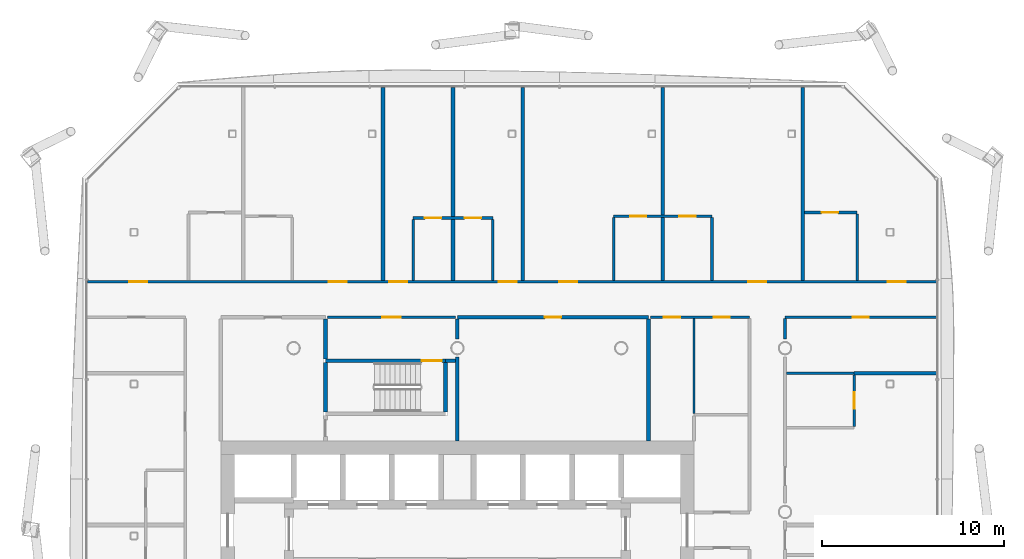
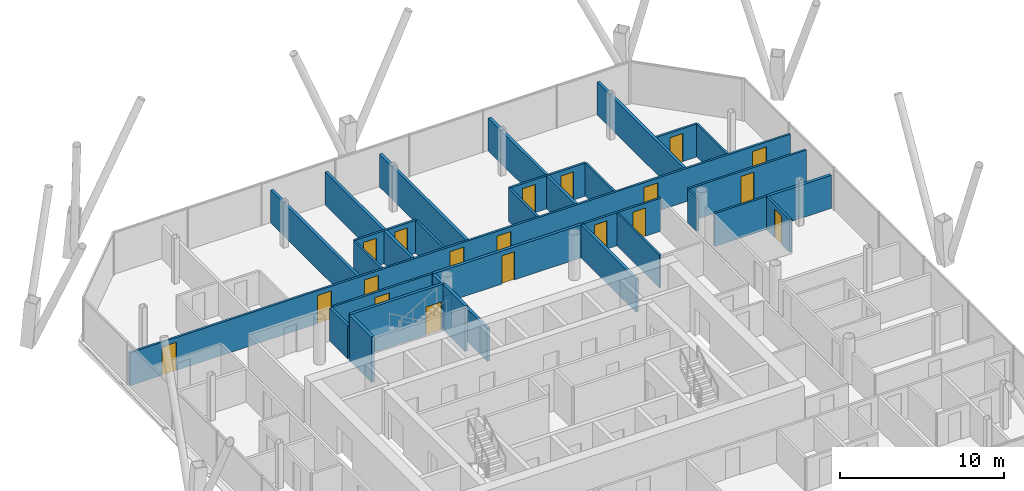
# One storey, part 16 of 22: 31 walls, 19 doors, 19 openings.
"""IFC4 building model written with IfcOpenShell, lengths in metres."""

import ifcopenshell
import ifcopenshell.guid

model = None  # the IFC model being written
_history = None  # IfcOwnerHistory: only IFC2X3 demands one
_inside = {}  # id of a spatial element -> (the spatial element, [elements in it])
_under = {}  # id of a project, library or spatial element -> (it, [spatial elements below it])
_declared = {}  # id of a project -> (the project, [libraries it declares])
_typed = {}  # id of a type object -> (the type object, [elements of that type])
_made_of = {}  # id of a material, layer set ... -> (it, [elements and type objects made of it])


def new_model(schema):
    """Start an empty IFC model of exactly this schema.

    Asked for "IFC4X3", IfcOpenShell would pick the latest addendum, in which some entities
    have other attributes; the version numbers below select the first issue.
    IFC2X3 requires an IfcOwnerHistory on every rooted entity: one is made here for all.
    """
    global model, _history
    if schema == "IFC4X3":
        model = ifcopenshell.file(schema_version=(4, 3, 0, 0))
    else:
        model = ifcopenshell.file(schema=schema)
    _inside.clear()
    _under.clear()
    _declared.clear()
    _typed.clear()
    _made_of.clear()
    _history = None
    if model.schema == "IFC2X3":
        org = make("IfcOrganization", Name="unknown")
        user = make(
            "IfcPersonAndOrganization",
            ThePerson=make("IfcPerson", FamilyName="unknown"),
            TheOrganization=org,
        )
        app = make(
            "IfcApplication",
            ApplicationDeveloper=org,
            Version="unknown",
            ApplicationFullName="unknown",
            ApplicationIdentifier="unknown",
        )
        _history = make(
            "IfcOwnerHistory",
            OwningUser=user,
            OwningApplication=app,
            ChangeAction="ADDED",
            CreationDate=0,
        )
    return model


def make(cls, **values):
    """One entity of the class cls with the attributes given. An attribute that is None is left unset."""
    return model.create_entity(
        cls, **{name: value for name, value in values.items() if value is not None}
    )


def rooted(cls, **values):
    """An entity with a GlobalId (a new one), such as an element, a storey or a relation."""
    return make(cls, GlobalId=ifcopenshell.guid.new(), OwnerHistory=_history, **values)


def si_unit(unit_type, name, prefix=None):
    """IfcSIUnit, for example si_unit("LENGTHUNIT", "METRE", prefix="MILLI")."""
    return make("IfcSIUnit", UnitType=unit_type, Prefix=prefix, Name=name)


def assignment(units):
    """IfcUnitAssignment: the units of a project."""
    return None if units is None else make("IfcUnitAssignment", Units=units)


def point(xyz):
    """IfcCartesianPoint."""
    return None if xyz is None else make("IfcCartesianPoint", Coordinates=xyz)


def direction(xyz):
    """IfcDirection."""
    return None if xyz is None else make("IfcDirection", DirectionRatios=xyz)


def frame(location, z_axis=None, x_axis=None):
    """IfcAxis2Placement3D, a coordinate frame: its origin and axes. An axis left out is left unset."""
    return make(
        "IfcAxis2Placement3D",
        Location=point(location),
        Axis=direction(z_axis),
        RefDirection=direction(x_axis),
    )


def frame_2d(location, x_axis=None):
    """IfcAxis2Placement2D, a coordinate frame in the plane: its origin and x axis."""
    return make(
        "IfcAxis2Placement2D", Location=point(location), RefDirection=direction(x_axis)
    )


def origin():
    """The frame at (0, 0, 0) with its axes left unset."""
    return frame((0.0, 0.0, 0.0))


def place(relative_to, where):
    """IfcLocalPlacement: puts the frame where relative to a parent placement (None: the world)."""
    return make(
        "IfcLocalPlacement", PlacementRelTo=relative_to, RelativePlacement=where
    )


def context(
    kind, dimensions, precision=None, world=None, true_north=None, identifier=None
):
    """IfcGeometricRepresentationContext, for example the 3D "Model" context."""
    return make(
        "IfcGeometricRepresentationContext",
        ContextIdentifier=identifier,
        ContextType=kind,
        CoordinateSpaceDimension=dimensions,
        Precision=precision,
        WorldCoordinateSystem=world,
        TrueNorth=true_north,
    )


def subcontext(parent, identifier, kind, view, scale=None):
    """IfcGeometricRepresentationSubContext, for example "Body" below "Model"."""
    return make(
        "IfcGeometricRepresentationSubContext",
        ContextIdentifier=identifier,
        ContextType=kind,
        ParentContext=parent,
        TargetScale=scale,
        TargetView=view,
    )


def project(units=None, contexts=None):
    """IfcProject with its units and contexts."""
    return rooted(
        "IfcProject",
        Name="project",
        RepresentationContexts=contexts,
        UnitsInContext=assignment(units),
    )


def spatial(cls, under=None, at=None, **own):
    """A site, building, storey or space (cls), placed at a placement, below another one or the project."""
    s = rooted(cls, ObjectPlacement=at, **own)
    if under is not None:
        _under.setdefault(under.id(), (under, []))[1].append(s)
    return s


def profile(cls, at=None, kind="AREA", **sizes):
    """A parametric profile (cls). Its sizes go by their IFC names, for example OverallWidth=200.0."""
    return make(cls, ProfileType=kind, Position=at, **sizes)


def rectangle(**sizes):
    """IfcRectangleProfileDef."""
    return profile("IfcRectangleProfileDef", **sizes)


def extrude(swept, where, along, depth):
    """IfcExtrudedAreaSolid: the profile swept, set in the frame where, extruded along a direction by depth."""
    return make(
        "IfcExtrudedAreaSolid",
        SweptArea=swept,
        Position=where,
        ExtrudedDirection=direction(along),
        Depth=depth,
    )


def shape(context_of_items, identifier, shape_type, items):
    """IfcShapeRepresentation: the items that make up one representation, for example the "Body"."""
    return make(
        "IfcShapeRepresentation",
        ContextOfItems=context_of_items,
        RepresentationIdentifier=identifier,
        RepresentationType=shape_type,
        Items=items,
    )


def material(Name=None, Category=None):
    """IfcMaterial."""
    return make("IfcMaterial", Name=Name, Category=Category)


def layer(
    of_material, thickness, ventilated=None, Name=None, Category=None, Priority=None
):
    """IfcMaterialLayer: one layer of a wall or slab, of a material (None: an air gap)."""
    return make(
        "IfcMaterialLayer",
        Material=of_material,
        LayerThickness=thickness,
        IsVentilated=ventilated,
        Name=Name,
        Category=Category,
        Priority=Priority,
    )


def layer_set(layers, Name=None):
    """IfcMaterialLayerSet."""
    return make("IfcMaterialLayerSet", MaterialLayers=layers, LayerSetName=Name)


def made_of(thing, what):
    """Note that an element or type object is made of a material, layer set ...; save() writes the relation."""
    if what is not None:
        _made_of.setdefault(what.id(), (what, []))[1].append(thing)
    return thing


def type_object(cls, material=None, **own):
    """A type object (cls), such as IfcWallType, which elements share."""
    return made_of(rooted(cls, **own), material)


def element(
    cls,
    number,
    at=None,
    inside=None,
    cuts=None,
    type_object=None,
    material=None,
    context=None,
    identifier="Body",
    shape_type=None,
    held_by="IfcProductDefinitionShape",
    body=None,
    shapes=None,
    **own,
):
    """One element of the class cls, such as IfcWall. Its Tag is "e" and its number.

    at: its placement. inside: the storey or other place that contains it. cuts: it is an
    opening in that element (IfcRelVoidsElement). A single representation is given by context,
    identifier, shape_type and body (its items); several are given by shapes. held_by: the class
    of the entity that holds the representations. save() writes the other relations.
    """
    e = rooted(cls, Tag="e%d" % number, ObjectPlacement=at, **own)
    if body is not None:
        shapes = [shape(context, identifier, shape_type, body)]
    if shapes is not None:
        e.Representation = make(held_by, Representations=shapes)
    if inside is not None:
        _inside.setdefault(inside.id(), (inside, []))[1].append(e)
    if cuts is not None:
        rooted(
            "IfcRelVoidsElement", RelatingBuildingElement=cuts, RelatedOpeningElement=e
        )
    if type_object is not None:
        _typed.setdefault(type_object.id(), (type_object, []))[1].append(e)
    return made_of(e, material)


def fill(opening, filler):
    """IfcRelFillsElement: the door or window that sits in an opening."""
    return rooted(
        "IfcRelFillsElement",
        RelatingOpeningElement=opening,
        RelatedBuildingElement=filler,
    )


def aggregate(whole, parts):
    """IfcRelAggregates: a whole, such as a stair, and the parts it consists of."""
    return rooted("IfcRelAggregates", RelatingObject=whole, RelatedObjects=parts)


def save(model, path):
    """Write the relations noted so far, then the file.

    IfcRelAggregates (storeys below a building ...), IfcRelContainedInSpatialStructure (elements
    in a storey), IfcRelDefinesByType, IfcRelAssociatesMaterial and IfcRelDeclares: one each for
    every whole, place, type object, material and project.
    """
    for whole, parts in _under.values():
        aggregate(whole, parts)
    for where, things in _inside.values():
        rooted(
            "IfcRelContainedInSpatialStructure",
            RelatedElements=things,
            RelatingStructure=where,
        )
    for kind, things in _typed.values():
        rooted("IfcRelDefinesByType", RelatedObjects=things, RelatingType=kind)
    for what, things in _made_of.values():
        rooted("IfcRelAssociatesMaterial", RelatedObjects=things, RelatingMaterial=what)
    for by, libraries in _declared.values():
        rooted("IfcRelDeclares", RelatingContext=by, RelatedDefinitions=libraries)
    model.write(path)


model = new_model("IFC4")

# Units and contexts
model_context = context("Model", 3, precision=1e-05, world=origin(), true_north=direction((0.0, 1.0)))
body_context = subcontext(model_context, "Body", "Model", "MODEL_VIEW")
ifc_project = project(units=[si_unit("LENGTHUNIT", "METRE"), si_unit("AREAUNIT", "SQUARE_METRE"), si_unit("VOLUMEUNIT", "CUBIC_METRE"), si_unit("PLANEANGLEUNIT", "RADIAN"), si_unit("MASSUNIT", "GRAM", prefix="KILO")], contexts=[model_context])

# Site, building, storey
site_placement = place(None, origin())
site = spatial("IfcSite", under=ifc_project, at=site_placement, CompositionType="ELEMENT")
building_placement = place(site_placement, origin())
building = spatial("IfcBuilding", under=site, at=building_placement, Name="Tskaro Facet Tower", CompositionType="ELEMENT")
storey_placement = place(building_placement, frame((0.0, 0.0, 121.5)))
storey = spatial("IfcBuildingStorey", under=building, at=storey_placement, Name="L28", CompositionType="ELEMENT", Elevation=121.5)

# Walls
ifc_material_1 = material(Name="Gypsum board on steel studs", Category="steel")
ifc_layer_1 = layer(ifc_material_1, 0.125, Name="Gypsum board on steel studs")
ifc_layer_set_1 = layer_set([ifc_layer_1], Name="Gypsum board on steel studs")
wall_type_1 = type_object("IfcWallType", Name="PART", PredefinedType="PARTITIONING", material=ifc_layer_set_1)
wall_1_placement = place(storey_placement, frame((13.0, 5.412109375, 0.0), z_axis=(0.0, 0.0, 1.0), x_axis=(0.0, 1.0, 0.0)))
element("IfcWall", 1, at=wall_1_placement, inside=storey, type_object=wall_type_1, Name="Partition W101", PredefinedType="PARTITIONING", context=body_context, shape_type="SweptSolid", body=[
    extrude(rectangle(XDim=5.212890625, YDim=0.125, at=frame_2d((2.6064453125, 0.0))), origin(), (0.0, 0.0, 1.0), 2.4599609375),
])
ifc_layer_2 = layer(ifc_material_1, 0.14990234375, Name="Gypsum board on steel studs")
ifc_layer_set_2 = layer_set([ifc_layer_2], Name="Gypsum board on steel studs")
wall_type_2 = type_object("IfcWallType", Name="PART-CORR", PredefinedType="PARTITIONING", material=ifc_layer_set_2)
wall_2_placement = place(storey_placement, frame((18.074951171875, 7.6259765625, 0.0), z_axis=(0.0, 0.0, 1.0), x_axis=(1.0, 0.0, 0.0)))
element("IfcWall", 2, at=wall_2_placement, inside=storey, type_object=wall_type_2, Name="Corridor wall W039", PredefinedType="PARTITIONING", context=body_context, shape_type="SweptSolid", body=[
    extrude(rectangle(XDim=3.72509765625, YDim=0.14990234375, at=frame_2d((1.862548828125, 0.0))), origin(), (0.0, 0.0, 1.0), 2.4599609375),
])

# Wall, opening, door
wall_3_placement = place(storey_placement, frame((-0.10009765625, 10.699951171875, 0.0), z_axis=(0.0, 0.0, 1.0), x_axis=(-1.0, 0.0, 0.0)))
wall_3 = element("IfcWall", 3, at=wall_3_placement, inside=storey, type_object=wall_type_2, Name="Corridor wall W045", PredefinedType="PARTITIONING", context=body_context, shape_type="SweptSolid", body=[
    extrude(rectangle(XDim=7.0498046875, YDim=0.14990234375, at=frame_2d((3.52490234375, 0.0))), origin(), (0.0, 0.0, 1.0), 2.4599609375),
])
opening_1_placement = place(wall_3_placement, frame((3.02490234375, 0.0, 0.0)))
opening_1 = element("IfcOpeningElement", 4, at=opening_1_placement, cuts=wall_3, Name="Opening T8-D45", PredefinedType="OPENING", context=body_context, shape_type="SweptSolid", body=[
    extrude(rectangle(XDim=1.0, YDim=2.10009765625, at=frame_2d((0.5, 1.050048828125))), frame((0.0, 0.0849609375, 0.0), z_axis=(0.0, -1.0, 0.0), x_axis=(1.0, 0.0, 0.0)), (0.0, 0.0, 1.0), 0.169921875),
])
ifc_material_2 = material(Name="Steel", Category="steel")
door_type_1 = type_object("IfcDoorType", Name="D-LOBBY", OperationType="NOTDEFINED", PredefinedType="DOOR", material=ifc_material_2)
door_1_placement = place(opening_1_placement, origin())
door_1 = element("IfcDoor", 5, at=door_1_placement, inside=storey, type_object=door_type_1, Name="Stair lobby door", OperationType="SINGLE_SWING_RIGHT", OverallHeight=2.10009765625, OverallWidth=1.0, PredefinedType="DOOR", context=body_context, shape_type="SweptSolid", body=[
    extrude(rectangle(XDim=1.0, YDim=2.10009765625, at=frame_2d((0.5, 1.050048828125))), frame((0.0, 0.02490234375, 0.0), z_axis=(0.0, -1.0, 0.0), x_axis=(1.0, 0.0, 0.0)), (0.0, 0.0, 1.0), 0.050048828125),
])
fill(opening_1, door_1)

# Wall, openings, doors
wall_4_placement = place(storey_placement, frame((16.050048828125, 10.699951171875, 0.0), z_axis=(0.0, 0.0, 1.0), x_axis=(-1.0, 0.0, 0.0)))
wall_4 = element("IfcWall", 6, at=wall_4_placement, inside=storey, type_object=wall_type_2, Name="Corridor wall W047", PredefinedType="PARTITIONING", context=body_context, shape_type="SweptSolid", body=[
    extrude(rectangle(XDim=5.449951171875, YDim=0.14990234375, at=frame_2d((2.72509765625, 0.0))), origin(), (0.0, 0.0, 1.0), 2.4599609375),
])
opening_2_placement = place(wall_4_placement, frame((3.800048828125, 0.0, 0.0)))
opening_2 = element("IfcOpeningElement", 7, at=opening_2_placement, cuts=wall_4, Name="Opening T8-D47", PredefinedType="OPENING", context=body_context, shape_type="SweptSolid", body=[
    extrude(rectangle(XDim=0.89990234375, YDim=2.10009765625, at=frame_2d((0.449951171875, 1.050048828125))), frame((0.0, 0.0849609375, 0.0), z_axis=(0.0, -1.0, 0.0), x_axis=(1.0, 0.0, 0.0)), (0.0, 0.0, 1.0), 0.169921875),
])
opening_3_placement = place(wall_4_placement, frame((1.074951171875, 0.0, 0.0)))
opening_3 = element("IfcOpeningElement", 8, at=opening_3_placement, cuts=wall_4, Name="Opening T8-D48", PredefinedType="OPENING", context=body_context, shape_type="SweptSolid", body=[
    extrude(rectangle(XDim=0.89990234375, YDim=2.10009765625, at=frame_2d((0.449951171875, 1.050048828125))), frame((0.0, 0.0849609375, 0.0), z_axis=(0.0, -1.0, 0.0), x_axis=(1.0, 0.0, 0.0)), (0.0, 0.0, 1.0), 0.169921875),
])
ifc_material_3 = material(Name="Timber", Category="wood")
door_type_2 = type_object("IfcDoorType", Name="D-ROOM", OperationType="NOTDEFINED", PredefinedType="DOOR", material=ifc_material_3)
door_2_placement = place(opening_2_placement, origin())
door_2 = element("IfcDoor", 9, at=door_2_placement, inside=storey, type_object=door_type_2, Name="Door T8-D47", OperationType="SINGLE_SWING_RIGHT", OverallHeight=2.10009765625, OverallWidth=0.89990234375, PredefinedType="DOOR", context=body_context, shape_type="SweptSolid", body=[
    extrude(rectangle(XDim=0.89990234375, YDim=2.10009765625, at=frame_2d((0.449951171875, 1.050048828125))), frame((0.0, 0.02490234375, 0.0), z_axis=(0.0, -1.0, 0.0), x_axis=(1.0, 0.0, 0.0)), (0.0, 0.0, 1.0), 0.050048828125),
])
fill(opening_2, door_2)
door_3_placement = place(opening_3_placement, origin())
door_3 = element("IfcDoor", 10, at=door_3_placement, inside=storey, type_object=door_type_2, Name="Door T8-D48", OperationType="SINGLE_SWING_RIGHT", OverallHeight=2.10009765625, OverallWidth=0.89990234375, PredefinedType="DOOR", context=body_context, shape_type="SweptSolid", body=[
    extrude(rectangle(XDim=0.89990234375, YDim=2.10009765625, at=frame_2d((0.449951171875, 1.050048828125))), frame((0.0, 0.02490234375, 0.0), z_axis=(0.0, -1.0, 0.0), x_axis=(1.0, 0.0, 0.0)), (0.0, 0.0, 1.0), 0.050048828125),
])
fill(opening_3, door_3)

# Wall, opening, door
wall_5_placement = place(storey_placement, frame((26.31689453125, 10.699951171875, 0.0), z_axis=(0.0, 0.0, 1.0), x_axis=(-1.0, 0.0, 0.0)))
wall_5 = element("IfcWall", 11, at=wall_5_placement, inside=storey, type_object=wall_type_2, Name="Corridor wall W048", PredefinedType="PARTITIONING", context=body_context, shape_type="SweptSolid", body=[
    extrude(rectangle(XDim=8.31689453125, YDim=0.14990234375, at=frame_2d((4.158447265625, 0.0))), origin(), (0.0, 0.0, 1.0), 2.4599609375),
])
opening_4_placement = place(wall_5_placement, frame((3.70849609375, 0.0, 0.0)))
opening_4 = element("IfcOpeningElement", 12, at=opening_4_placement, cuts=wall_5, Name="Opening T8-D49", PredefinedType="OPENING", context=body_context, shape_type="SweptSolid", body=[
    extrude(rectangle(XDim=0.89990234375, YDim=2.10009765625, at=frame_2d((0.449951171875, 1.050048828125))), frame((0.0, 0.0849609375, 0.0), z_axis=(0.0, -1.0, 0.0), x_axis=(1.0, 0.0, 0.0)), (0.0, 0.0, 1.0), 0.169921875),
])
door_4_placement = place(opening_4_placement, origin())
door_4 = element("IfcDoor", 13, at=door_4_placement, inside=storey, type_object=door_type_2, Name="Door T8-D49", OperationType="SINGLE_SWING_RIGHT", OverallHeight=2.10009765625, OverallWidth=0.89990234375, PredefinedType="DOOR", context=body_context, shape_type="SweptSolid", body=[
    extrude(rectangle(XDim=0.89990234375, YDim=2.10009765625, at=frame_2d((0.449951171875, 1.050048828125))), frame((0.0, 0.02490234375, 0.0), z_axis=(0.0, -1.0, 0.0), x_axis=(1.0, 0.0, 0.0)), (0.0, 0.0, 1.0), 0.050048828125),
])
fill(opening_4, door_4)

# Wall, openings, doors
wall_6_placement = place(storey_placement, frame((-20.31689453125, 12.64990234375, 0.0), z_axis=(0.0, 0.0, 1.0), x_axis=(1.0, 0.0, 0.0)))
wall_6 = element("IfcWall", 14, at=wall_6_placement, inside=storey, type_object=wall_type_2, Name="Corridor wall W049", PredefinedType="PARTITIONING", context=body_context, shape_type="SweptSolid", body=[
    extrude(rectangle(XDim=46.6337890625, YDim=0.14990234375, at=frame_2d((23.31689453125, 0.0))), origin(), (0.0, 0.0, 1.0), 2.4599609375),
])
opening_5_placement = place(wall_6_placement, frame((2.2744140625, 0.0, 0.0)))
opening_5 = element("IfcOpeningElement", 15, at=opening_5_placement, cuts=wall_6, Name="Opening T8-D50", PredefinedType="OPENING", context=body_context, shape_type="SweptSolid", body=[
    extrude(rectangle(XDim=1.0, YDim=2.10009765625, at=frame_2d((0.5, 1.050048828125))), frame((0.0, 0.0849609375, 0.0), z_axis=(0.0, -1.0, 0.0), x_axis=(1.0, 0.0, 0.0)), (0.0, 0.0, 1.0), 0.169921875),
])
opening_6_placement = place(wall_6_placement, frame((13.240966796875, 0.0, 0.0)))
opening_6 = element("IfcOpeningElement", 16, at=opening_6_placement, cuts=wall_6, Name="Opening T8-D51", PredefinedType="OPENING", context=body_context, shape_type="SweptSolid", body=[
    extrude(rectangle(XDim=1.0, YDim=2.10009765625, at=frame_2d((0.5, 1.050048828125))), frame((0.0, 0.0849609375, 0.0), z_axis=(0.0, -1.0, 0.0), x_axis=(1.0, 0.0, 0.0)), (0.0, 0.0, 1.0), 0.169921875),
])
opening_7_placement = place(wall_6_placement, frame((16.55908203125, 0.0, 0.0)))
opening_7 = element("IfcOpeningElement", 17, at=opening_7_placement, cuts=wall_6, Name="Opening T8-D52", PredefinedType="OPENING", context=body_context, shape_type="SweptSolid", body=[
    extrude(rectangle(XDim=1.0, YDim=2.10009765625, at=frame_2d((0.5, 1.050048828125))), frame((0.0, 0.0849609375, 0.0), z_axis=(0.0, -1.0, 0.0), x_axis=(1.0, 0.0, 0.0)), (0.0, 0.0, 1.0), 0.169921875),
])
opening_8_placement = place(wall_6_placement, frame((22.591064453125, 0.0, 0.0)))
opening_8 = element("IfcOpeningElement", 18, at=opening_8_placement, cuts=wall_6, Name="Opening T8-D53", PredefinedType="OPENING", context=body_context, shape_type="SweptSolid", body=[
    extrude(rectangle(XDim=1.0, YDim=2.10009765625, at=frame_2d((0.5, 1.050048828125))), frame((0.0, 0.0849609375, 0.0), z_axis=(0.0, -1.0, 0.0), x_axis=(1.0, 0.0, 0.0)), (0.0, 0.0, 1.0), 0.169921875),
])
opening_9_placement = place(wall_6_placement, frame((25.908935546875, 0.0, 0.0)))
opening_9 = element("IfcOpeningElement", 19, at=opening_9_placement, cuts=wall_6, Name="Opening T8-D54", PredefinedType="OPENING", context=body_context, shape_type="SweptSolid", body=[
    extrude(rectangle(XDim=1.0, YDim=2.10009765625, at=frame_2d((0.5, 1.050048828125))), frame((0.0, 0.0849609375, 0.0), z_axis=(0.0, -1.0, 0.0), x_axis=(1.0, 0.0, 0.0)), (0.0, 0.0, 1.0), 0.169921875),
])
opening_10_placement = place(wall_6_placement, frame((36.29296875, 0.0, 0.0)))
opening_10 = element("IfcOpeningElement", 20, at=opening_10_placement, cuts=wall_6, Name="Opening T8-D55", PredefinedType="OPENING", context=body_context, shape_type="SweptSolid", body=[
    extrude(rectangle(XDim=1.0, YDim=2.10009765625, at=frame_2d((0.5, 1.050048828125))), frame((0.0, 0.0849609375, 0.0), z_axis=(0.0, -1.0, 0.0), x_axis=(1.0, 0.0, 0.0)), (0.0, 0.0, 1.0), 0.169921875),
])
opening_11_placement = place(wall_6_placement, frame((43.95947265625, 0.0, 0.0)))
opening_11 = element("IfcOpeningElement", 21, at=opening_11_placement, cuts=wall_6, Name="Opening T8-D56", PredefinedType="OPENING", context=body_context, shape_type="SweptSolid", body=[
    extrude(rectangle(XDim=1.0, YDim=2.10009765625, at=frame_2d((0.5, 1.050048828125))), frame((0.0, 0.0849609375, 0.0), z_axis=(0.0, -1.0, 0.0), x_axis=(1.0, 0.0, 0.0)), (0.0, 0.0, 1.0), 0.169921875),
])
door_type_3 = type_object("IfcDoorType", Name="D-ENTRY", OperationType="NOTDEFINED", PredefinedType="DOOR", material=ifc_material_3)
door_5_placement = place(opening_5_placement, origin())
door_5 = element("IfcDoor", 22, at=door_5_placement, inside=storey, type_object=door_type_3, Name="Door T8-D50", OperationType="SINGLE_SWING_RIGHT", OverallHeight=2.10009765625, OverallWidth=1.0, PredefinedType="DOOR", context=body_context, shape_type="SweptSolid", body=[
    extrude(rectangle(XDim=1.0, YDim=2.10009765625, at=frame_2d((0.5, 1.050048828125))), frame((0.0, 0.02490234375, 0.0), z_axis=(0.0, -1.0, 0.0), x_axis=(1.0, 0.0, 0.0)), (0.0, 0.0, 1.0), 0.050048828125),
])
fill(opening_5, door_5)
door_6_placement = place(opening_6_placement, origin())
door_6 = element("IfcDoor", 23, at=door_6_placement, inside=storey, type_object=door_type_3, Name="Door T8-D51", OperationType="SINGLE_SWING_LEFT", OverallHeight=2.10009765625, OverallWidth=1.0, PredefinedType="DOOR", context=body_context, shape_type="SweptSolid", body=[
    extrude(rectangle(XDim=1.0, YDim=2.10009765625, at=frame_2d((0.5, 1.050048828125))), frame((0.0, 0.02490234375, 0.0), z_axis=(0.0, -1.0, 0.0), x_axis=(1.0, 0.0, 0.0)), (0.0, 0.0, 1.0), 0.050048828125),
])
fill(opening_6, door_6)
door_7_placement = place(opening_7_placement, origin())
door_7 = element("IfcDoor", 24, at=door_7_placement, inside=storey, type_object=door_type_3, Name="Door T8-D52", OperationType="SINGLE_SWING_LEFT", OverallHeight=2.10009765625, OverallWidth=1.0, PredefinedType="DOOR", context=body_context, shape_type="SweptSolid", body=[
    extrude(rectangle(XDim=1.0, YDim=2.10009765625, at=frame_2d((0.5, 1.050048828125))), frame((0.0, 0.02490234375, 0.0), z_axis=(0.0, -1.0, 0.0), x_axis=(1.0, 0.0, 0.0)), (0.0, 0.0, 1.0), 0.050048828125),
])
fill(opening_7, door_7)
door_8_placement = place(opening_8_placement, origin())
door_8 = element("IfcDoor", 25, at=door_8_placement, inside=storey, type_object=door_type_3, Name="Door T8-D53", OperationType="SINGLE_SWING_RIGHT", OverallHeight=2.10009765625, OverallWidth=1.0, PredefinedType="DOOR", context=body_context, shape_type="SweptSolid", body=[
    extrude(rectangle(XDim=1.0, YDim=2.10009765625, at=frame_2d((0.5, 1.050048828125))), frame((0.0, 0.02490234375, 0.0), z_axis=(0.0, -1.0, 0.0), x_axis=(1.0, 0.0, 0.0)), (0.0, 0.0, 1.0), 0.050048828125),
])
fill(opening_8, door_8)
door_9_placement = place(opening_9_placement, origin())
door_9 = element("IfcDoor", 26, at=door_9_placement, inside=storey, type_object=door_type_3, Name="Door T8-D54", OperationType="SINGLE_SWING_RIGHT", OverallHeight=2.10009765625, OverallWidth=1.0, PredefinedType="DOOR", context=body_context, shape_type="SweptSolid", body=[
    extrude(rectangle(XDim=1.0, YDim=2.10009765625, at=frame_2d((0.5, 1.050048828125))), frame((0.0, 0.02490234375, 0.0), z_axis=(0.0, -1.0, 0.0), x_axis=(1.0, 0.0, 0.0)), (0.0, 0.0, 1.0), 0.050048828125),
])
fill(opening_9, door_9)
door_10_placement = place(opening_10_placement, origin())
door_10 = element("IfcDoor", 27, at=door_10_placement, inside=storey, type_object=door_type_3, Name="Door T8-D55", OperationType="SINGLE_SWING_LEFT", OverallHeight=2.10009765625, OverallWidth=1.0, PredefinedType="DOOR", context=body_context, shape_type="SweptSolid", body=[
    extrude(rectangle(XDim=1.0, YDim=2.10009765625, at=frame_2d((0.5, 1.050048828125))), frame((0.0, 0.02490234375, 0.0), z_axis=(0.0, -1.0, 0.0), x_axis=(1.0, 0.0, 0.0)), (0.0, 0.0, 1.0), 0.050048828125),
])
fill(opening_10, door_10)
door_11_placement = place(opening_11_placement, origin())
door_11 = element("IfcDoor", 28, at=door_11_placement, inside=storey, type_object=door_type_3, Name="Door T8-D56", OperationType="SINGLE_SWING_RIGHT", OverallHeight=2.10009765625, OverallWidth=1.0, PredefinedType="DOOR", context=body_context, shape_type="SweptSolid", body=[
    extrude(rectangle(XDim=1.0, YDim=2.10009765625, at=frame_2d((0.5, 1.050048828125))), frame((0.0, 0.02490234375, 0.0), z_axis=(0.0, -1.0, 0.0), x_axis=(1.0, 0.0, 0.0)), (0.0, 0.0, 1.0), 0.050048828125),
])
fill(opening_11, door_11)

wall_7_placement = place(storey_placement, frame((1.947998046875, 16.14990234375, 0.0), z_axis=(0.0, 0.0, 1.0), x_axis=(-1.0, 0.0, 0.0)))
wall_7 = element("IfcWall", 29, at=wall_7_placement, inside=storey, type_object=wall_type_2, Name="Corridor wall W050", PredefinedType="PARTITIONING", context=body_context, shape_type="SweptSolid", body=[
    extrude(rectangle(XDim=4.3798828125, YDim=0.14990234375, at=frame_2d((2.18994140625, 0.0))), origin(), (0.0, 0.0, 1.0), 2.4599609375),
])
opening_12_placement = place(wall_7_placement, frame((2.8349609375, 0.0, 0.0)))
opening_12 = element("IfcOpeningElement", 30, at=opening_12_placement, cuts=wall_7, Name="Opening T8-D57", PredefinedType="OPENING", context=body_context, shape_type="SweptSolid", body=[
    extrude(rectangle(XDim=0.89990234375, YDim=2.10009765625, at=frame_2d((0.449951171875, 1.050048828125))), frame((0.0, 0.0849609375, 0.0), z_axis=(0.0, -1.0, 0.0), x_axis=(1.0, 0.0, 0.0)), (0.0, 0.0, 1.0), 0.169921875),
])
opening_13_placement = place(wall_7_placement, frame((0.64501953125, 0.0, 0.0)))
opening_13 = element("IfcOpeningElement", 31, at=opening_13_placement, cuts=wall_7, Name="Opening T8-D58", PredefinedType="OPENING", context=body_context, shape_type="SweptSolid", body=[
    extrude(rectangle(XDim=0.89990234375, YDim=2.10009765625, at=frame_2d((0.449951171875, 1.050048828125))), frame((0.0, 0.0849609375, 0.0), z_axis=(0.0, -1.0, 0.0), x_axis=(1.0, 0.0, 0.0)), (0.0, 0.0, 1.0), 0.169921875),
])
door_12_placement = place(opening_12_placement, origin())
door_12 = element("IfcDoor", 32, at=door_12_placement, inside=storey, type_object=door_type_2, Name="Door T8-D57", OperationType="SINGLE_SWING_RIGHT", OverallHeight=2.10009765625, OverallWidth=0.89990234375, PredefinedType="DOOR", context=body_context, shape_type="SweptSolid", body=[
    extrude(rectangle(XDim=0.89990234375, YDim=2.10009765625, at=frame_2d((0.449951171875, 1.050048828125))), frame((0.0, 0.02490234375, 0.0), z_axis=(0.0, -1.0, 0.0), x_axis=(1.0, 0.0, 0.0)), (0.0, 0.0, 1.0), 0.050048828125),
])
fill(opening_12, door_12)
door_13_placement = place(opening_13_placement, origin())
door_13 = element("IfcDoor", 33, at=door_13_placement, inside=storey, type_object=door_type_2, Name="Door T8-D58", OperationType="SINGLE_SWING_RIGHT", OverallHeight=2.10009765625, OverallWidth=0.89990234375, PredefinedType="DOOR", context=body_context, shape_type="SweptSolid", body=[
    extrude(rectangle(XDim=0.89990234375, YDim=2.10009765625, at=frame_2d((0.449951171875, 1.050048828125))), frame((0.0, 0.02490234375, 0.0), z_axis=(0.0, -1.0, 0.0), x_axis=(1.0, 0.0, 0.0)), (0.0, 0.0, 1.0), 0.050048828125),
])
fill(opening_13, door_13)

wall_8_placement = place(storey_placement, frame((13.98388671875, 16.25, 0.0), z_axis=(0.0, 0.0, 1.0), x_axis=(-1.0, 0.0, 0.0)))
wall_8 = element("IfcWall", 34, at=wall_8_placement, inside=storey, type_object=wall_type_2, Name="Corridor wall W052", PredefinedType="PARTITIONING", context=body_context, shape_type="SweptSolid", body=[
    extrude(rectangle(XDim=5.39990234375, YDim=0.14990234375, at=frame_2d((2.699951171875, 0.0))), origin(), (0.0, 0.0, 1.0), 2.4599609375),
])
opening_14_placement = place(wall_8_placement, frame((3.60009765625, 0.0, 0.0)))
opening_14 = element("IfcOpeningElement", 35, at=opening_14_placement, cuts=wall_8, Name="Opening T8-D60", PredefinedType="OPENING", context=body_context, shape_type="SweptSolid", body=[
    extrude(rectangle(XDim=0.89990234375, YDim=2.10009765625, at=frame_2d((0.449951171875, 1.050048828125))), frame((0.0, 0.0849609375, 0.0), z_axis=(0.0, -1.0, 0.0), x_axis=(1.0, 0.0, 0.0)), (0.0, 0.0, 1.0), 0.169921875),
])
opening_15_placement = place(wall_8_placement, frame((0.89990234375, 0.0, 0.0)))
opening_15 = element("IfcOpeningElement", 36, at=opening_15_placement, cuts=wall_8, Name="Opening T8-D61", PredefinedType="OPENING", context=body_context, shape_type="SweptSolid", body=[
    extrude(rectangle(XDim=0.89990234375, YDim=2.10009765625, at=frame_2d((0.449951171875, 1.050048828125))), frame((0.0, 0.0849609375, 0.0), z_axis=(0.0, -1.0, 0.0), x_axis=(1.0, 0.0, 0.0)), (0.0, 0.0, 1.0), 0.169921875),
])
door_14_placement = place(opening_14_placement, origin())
door_14 = element("IfcDoor", 37, at=door_14_placement, inside=storey, type_object=door_type_2, Name="Door T8-D60", OperationType="SINGLE_SWING_RIGHT", OverallHeight=2.10009765625, OverallWidth=0.89990234375, PredefinedType="DOOR", context=body_context, shape_type="SweptSolid", body=[
    extrude(rectangle(XDim=0.89990234375, YDim=2.10009765625, at=frame_2d((0.449951171875, 1.050048828125))), frame((0.0, 0.02490234375, 0.0), z_axis=(0.0, -1.0, 0.0), x_axis=(1.0, 0.0, 0.0)), (0.0, 0.0, 1.0), 0.050048828125),
])
fill(opening_14, door_14)
door_15_placement = place(opening_15_placement, origin())
door_15 = element("IfcDoor", 38, at=door_15_placement, inside=storey, type_object=door_type_2, Name="Door T8-D61", OperationType="SINGLE_SWING_RIGHT", OverallHeight=2.10009765625, OverallWidth=0.89990234375, PredefinedType="DOOR", context=body_context, shape_type="SweptSolid", body=[
    extrude(rectangle(XDim=0.89990234375, YDim=2.10009765625, at=frame_2d((0.449951171875, 1.050048828125))), frame((0.0, 0.02490234375, 0.0), z_axis=(0.0, -1.0, 0.0), x_axis=(1.0, 0.0, 0.0)), (0.0, 0.0, 1.0), 0.050048828125),
])
fill(opening_15, door_15)

# Wall, opening, door
wall_9_placement = place(storey_placement, frame((21.968017578125, 16.449951171875, 0.0), z_axis=(0.0, 0.0, 1.0), x_axis=(-1.0, 0.0, 0.0)))
wall_9 = element("IfcWall", 39, at=wall_9_placement, inside=storey, type_object=wall_type_2, Name="Corridor wall W054", PredefinedType="PARTITIONING", context=body_context, shape_type="SweptSolid", body=[
    extrude(rectangle(XDim=2.89990234375, YDim=0.14990234375, at=frame_2d((1.449951171875, 0.0))), origin(), (0.0, 0.0, 1.0), 2.4599609375),
])
opening_16_placement = place(wall_9_placement, frame((1.050048828125, 0.0, 0.0)))
opening_16 = element("IfcOpeningElement", 40, at=opening_16_placement, cuts=wall_9, Name="Opening T8-D63", PredefinedType="OPENING", context=body_context, shape_type="SweptSolid", body=[
    extrude(rectangle(XDim=0.89990234375, YDim=2.10009765625, at=frame_2d((0.449951171875, 1.050048828125))), frame((0.0, 0.0849609375, 0.0), z_axis=(0.0, -1.0, 0.0), x_axis=(1.0, 0.0, 0.0)), (0.0, 0.0, 1.0), 0.169921875),
])
door_16_placement = place(opening_16_placement, origin())
door_16 = element("IfcDoor", 41, at=door_16_placement, inside=storey, type_object=door_type_2, Name="Door T8-D63", OperationType="SINGLE_SWING_RIGHT", OverallHeight=2.10009765625, OverallWidth=0.89990234375, PredefinedType="DOOR", context=body_context, shape_type="SweptSolid", body=[
    extrude(rectangle(XDim=0.89990234375, YDim=2.10009765625, at=frame_2d((0.449951171875, 1.050048828125))), frame((0.0, 0.02490234375, 0.0), z_axis=(0.0, -1.0, 0.0), x_axis=(1.0, 0.0, 0.0)), (0.0, 0.0, 1.0), 0.050048828125),
])
fill(opening_16, door_16)

# Walls
for number, where, z_axis, x_axis, name in (
    (42, (-2.431884765625, 12.72509765625, 0.0), (0.0, 0.0, 1.0), (0.0, 1.0, 0.0), "Corridor wall W077"),
    (43, (1.947998046875, 12.72509765625, 0.0), (0.0, 0.0, 1.0), (0.0, 1.0, 0.0), "Corridor wall W087"),
):
    element("IfcWall", number, at=place(storey_placement, frame(where, z_axis=z_axis, x_axis=x_axis)), inside=storey, type_object=wall_type_2, Name=name, PredefinedType="PARTITIONING", context=body_context, shape_type="SweptSolid", body=[
        extrude(rectangle(XDim=3.349853515625, YDim=0.14990234375, at=frame_2d((1.6748046875, 0.0))), origin(), (0.0, 0.0, 1.0), 2.4599609375),
    ])
for number, where, z_axis, x_axis, name in (
    (44, (8.583984375, 12.72509765625, 0.0), (0.0, 0.0, 1.0), (0.0, 1.0, 0.0), "Corridor wall W094"),
    (45, (13.98388671875, 12.72509765625, 0.0), (0.0, 0.0, 1.0), (0.0, 1.0, 0.0), "Corridor wall W102"),
):
    element("IfcWall", number, at=place(storey_placement, frame(where, z_axis=z_axis, x_axis=x_axis)), inside=storey, type_object=wall_type_2, Name=name, PredefinedType="PARTITIONING", context=body_context, shape_type="SweptSolid", body=[
        extrude(rectangle(XDim=3.449951171875, YDim=0.14990234375, at=frame_2d((1.72509765625, 0.0))), origin(), (0.0, 0.0, 1.0), 2.4599609375),
    ])
wall_10_placement = place(storey_placement, frame((18.0, 9.5, 0.0), z_axis=(0.0, 0.0, 1.0), x_axis=(0.0, 1.0, 0.0)))
element("IfcWall", 46, at=wall_10_placement, inside=storey, type_object=wall_type_2, Name="Corridor wall W110", PredefinedType="PARTITIONING", context=body_context, shape_type="SweptSolid", body=[
    extrude(rectangle(XDim=1.125, YDim=0.14990234375, at=frame_2d((0.5625, 0.0))), origin(), (0.0, 0.0, 1.0), 2.4599609375),
])

# Wall, opening, door
wall_11_placement = place(storey_placement, frame((21.800048828125, 4.700927734375, 0.0), z_axis=(0.0, 0.0, 1.0), x_axis=(0.0, 1.0, 0.0)))
wall_11 = element("IfcWall", 47, at=wall_11_placement, inside=storey, type_object=wall_type_2, Name="Corridor wall W115", PredefinedType="PARTITIONING", context=body_context, shape_type="SweptSolid", body=[
    extrude(rectangle(XDim=2.824951171875, YDim=0.14990234375, at=frame_2d((1.41259765625, 0.0))), origin(), (0.0, 0.0, 1.0), 2.4599609375),
])
opening_17_placement = place(wall_11_placement, frame((0.97509765625, 0.0, 0.0)))
opening_17 = element("IfcOpeningElement", 48, at=opening_17_placement, cuts=wall_11, Name="Opening T8-D42", PredefinedType="OPENING", context=body_context, shape_type="SweptSolid", body=[
    extrude(rectangle(XDim=0.89990234375, YDim=2.10009765625, at=frame_2d((0.449951171875, 1.050048828125))), frame((0.0, 0.0849609375, 0.0), z_axis=(0.0, -1.0, 0.0), x_axis=(1.0, 0.0, 0.0)), (0.0, 0.0, 1.0), 0.169921875),
])
door_17_placement = place(opening_17_placement, origin())
door_17 = element("IfcDoor", 49, at=door_17_placement, inside=storey, type_object=door_type_2, Name="Door T8-D42", OperationType="SINGLE_SWING_LEFT", OverallHeight=2.10009765625, OverallWidth=0.89990234375, PredefinedType="DOOR", context=body_context, shape_type="SweptSolid", body=[
    extrude(rectangle(XDim=0.89990234375, YDim=2.10009765625, at=frame_2d((0.449951171875, 1.050048828125))), frame((0.0, 0.02490234375, 0.0), z_axis=(0.0, -1.0, 0.0), x_axis=(1.0, 0.0, 0.0)), (0.0, 0.0, 1.0), 0.050048828125),
])
fill(opening_17, door_17)

# Walls
wall_12_placement = place(storey_placement, frame((21.968017578125, 12.72509765625, 0.0), z_axis=(0.0, 0.0, 1.0), x_axis=(0.0, 1.0, 0.0)))
element("IfcWall", 50, at=wall_12_placement, inside=storey, type_object=wall_type_2, Name="Corridor wall W116", PredefinedType="PARTITIONING", context=body_context, shape_type="SweptSolid", body=[
    extrude(rectangle(XDim=3.64990234375, YDim=0.14990234375, at=frame_2d((1.824951171875, 0.0))), origin(), (0.0, 0.0, 1.0), 2.4599609375),
])
ifc_layer_3 = layer(ifc_material_1, 0.199951171875, Name="Gypsum board on steel studs")
ifc_layer_set_3 = layer_set([ifc_layer_3], Name="Gypsum board on steel studs")
wall_type_3 = type_object("IfcWallType", Name="PART-DEMISING", PredefinedType="PARTITIONING", material=ifc_layer_set_3)
wall_13_placement = place(storey_placement, frame((21.800048828125, 7.6259765625, 0.0), z_axis=(0.0, 0.0, 1.0), x_axis=(1.0, 0.0, 0.0)))
element("IfcWall", 51, at=wall_13_placement, inside=storey, type_object=wall_type_3, Name="Guest room wall W040", PredefinedType="PARTITIONING", context=body_context, shape_type="SweptSolid", body=[
    extrude(rectangle(XDim=4.516845703125, YDim=0.199951171875, at=frame_2d((2.25830078125, 0.0))), origin(), (0.0, 0.0, 1.0), 2.4599609375),
])
for number, where, z_axis, x_axis, name in (
    (52, (-4.083984375, 12.72509765625, 0.0), (0.0, 0.0, 1.0), (0.0, 1.0, 0.0), "Guest room wall W073"),
    (53, (-0.241943359375, 12.72509765625, 0.0), (0.0, 0.0, 1.0), (0.0, 1.0, 0.0), "Guest room wall W081"),
    (54, (3.60009765625, 12.72509765625, 0.0), (0.0, 0.0, 1.0), (0.0, 1.0, 0.0), "Guest room wall W091"),
    (55, (11.283935546875, 12.72509765625, 0.0), (0.0, 0.0, 1.0), (0.0, 1.0, 0.0), "Guest room wall W098"),
    (56, (18.968017578125, 12.72509765625, 0.0), (0.0, 0.0, 1.0), (0.0, 1.0, 0.0), "Guest room wall W111"),
):
    element("IfcWall", number, at=place(storey_placement, frame(where, z_axis=z_axis, x_axis=x_axis)), inside=storey, type_object=wall_type_3, Name=name, PredefinedType="PARTITIONING", context=body_context, shape_type="SweptSolid", body=[
        extrude(rectangle(XDim=10.591796875, YDim=0.199951171875, at=frame_2d((5.2958984375, 0.0))), origin(), (0.0, 0.0, 1.0), 2.4599609375),
    ])

# Wall, opening, door
ifc_material_4 = material(Name="Concrete C60/75", Category="concrete")
ifc_layer_4 = layer(ifc_material_4, 0.199951171875, Name="Concrete C60/75")
ifc_layer_set_4 = layer_set([ifc_layer_4], Name="Concrete C60/75")
wall_type_4 = type_object("IfcWallType", Name="STAIR-WALL", PredefinedType="SHEAR", material=ifc_layer_set_4)
wall_14_placement = place(storey_placement, frame((-0.64990234375, 8.300048828125, 0.0), z_axis=(0.0, 0.0, 1.0), x_axis=(-1.0, 0.0, 0.0)))
wall_14 = element("IfcWall", 57, at=wall_14_placement, inside=storey, type_object=wall_type_4, Name="Stair wall W041", PredefinedType="SHEAR", context=body_context, shape_type="SweptSolid", body=[
    extrude(rectangle(XDim=6.60009765625, YDim=0.199951171875, at=frame_2d((3.300048828125, 0.0))), origin(), (0.0, 0.0, 1.0), 3.39990234375),
])
opening_18_placement = place(wall_14_placement, frame((0.199951171875, 0.0, 0.0)))
opening_18 = element("IfcOpeningElement", 58, at=opening_18_placement, cuts=wall_14, Name="Opening ST-3-D1", PredefinedType="OPENING", context=body_context, shape_type="SweptSolid", body=[
    extrude(rectangle(XDim=1.10009765625, YDim=2.10009765625, at=frame_2d((0.550048828125, 1.050048828125))), frame((0.0, 0.10986328125, 0.0), z_axis=(0.0, -1.0, 0.0), x_axis=(1.0, 0.0, 0.0)), (0.0, 0.0, 1.0), 0.219970703125),
])
door_type_4 = type_object("IfcDoorType", Name="D-STAIR", OperationType="NOTDEFINED", PredefinedType="DOOR", material=ifc_material_2)
door_18_placement = place(opening_18_placement, origin())
door_18 = element("IfcDoor", 59, at=door_18_placement, inside=storey, type_object=door_type_4, Name="Stair door 3", OperationType="SINGLE_SWING_RIGHT", OverallHeight=2.10009765625, OverallWidth=1.10009765625, PredefinedType="DOOR", context=body_context, shape_type="SweptSolid", body=[
    extrude(rectangle(XDim=1.10009765625, YDim=2.10009765625, at=frame_2d((0.550048828125, 1.050048828125))), frame((0.0, 0.02490234375, 0.0), z_axis=(0.0, -1.0, 0.0), x_axis=(1.0, 0.0, 0.0)), (0.0, 0.0, 1.0), 0.050048828125),
])
fill(opening_18, door_18)

# Walls
for number, where, z_axis, x_axis, name in (
    (60, (-7.25, 5.5, 0.0), (0.0, 0.0, 1.0), (0.0, 1.0, 0.0), "Stair wall W068"),
    (61, (-0.64990234375, 5.5, 0.0), (0.0, 0.0, 1.0), (0.0, 1.0, 0.0), "Stair wall W080"),
):
    element("IfcWall", number, at=place(storey_placement, frame(where, z_axis=z_axis, x_axis=x_axis)), inside=storey, type_object=wall_type_4, Name=name, PredefinedType="SHEAR", context=body_context, shape_type="SweptSolid", body=[
        extrude(rectangle(XDim=2.699951171875, YDim=0.199951171875, at=frame_2d((1.35009765625, 0.0))), origin(), (0.0, 0.0, 1.0), 3.39990234375),
    ])
ifc_material_5 = material(Name="Concrete C20/25", Category="concrete")
ifc_layer_5 = layer(ifc_material_5, 0.199951171875, Name="Concrete C20/25")
ifc_layer_set_5 = layer_set([ifc_layer_5], Name="Concrete C20/25")
wall_type_5 = type_object("IfcWallType", Name="WALL-RISER", PredefinedType="SOLIDWALL", material=ifc_layer_set_5)
wall_15_placement = place(storey_placement, frame((-0.64990234375, 8.300048828125, 0.0), z_axis=(0.0, 0.0, 1.0), x_axis=(1.0, 0.0, 0.0)))
element("IfcWall", 62, at=wall_15_placement, inside=storey, type_object=wall_type_5, Name="Riser room wall W042", PredefinedType="SOLIDWALL", context=body_context, shape_type="SweptSolid", body=[
    extrude(rectangle(XDim=0.5498046875, YDim=0.199951171875, at=frame_2d((0.27490234375, 0.0))), origin(), (0.0, 0.0, 1.0), 2.4599609375),
])

# Wall, opening, door
wall_16_placement = place(storey_placement, frame((10.5, 10.699951171875, 0.0), z_axis=(0.0, 0.0, 1.0), x_axis=(-1.0, 0.0, 0.0)))
wall_16 = element("IfcWall", 63, at=wall_16_placement, inside=storey, type_object=wall_type_5, Name="Riser room wall W046", PredefinedType="SOLIDWALL", context=body_context, shape_type="SweptSolid", body=[
    extrude(rectangle(XDim=10.5, YDim=0.199951171875, at=frame_2d((5.25, 0.0))), origin(), (0.0, 0.0, 1.0), 2.4599609375),
])
opening_19_placement = place(wall_16_placement, frame((4.800048828125, 0.0, 0.0)))
opening_19 = element("IfcOpeningElement", 64, at=opening_19_placement, cuts=wall_16, Name="Opening T8-D46", PredefinedType="OPENING", context=body_context, shape_type="SweptSolid", body=[
    extrude(rectangle(XDim=0.89990234375, YDim=2.10009765625, at=frame_2d((0.449951171875, 1.050048828125))), frame((0.0, 0.10986328125, 0.0), z_axis=(0.0, -1.0, 0.0), x_axis=(1.0, 0.0, 0.0)), (0.0, 0.0, 1.0), 0.219970703125),
])
door_type_5 = type_object("IfcDoorType", Name="D-RISER", OperationType="NOTDEFINED", PredefinedType="DOOR", material=ifc_material_2)
door_19_placement = place(opening_19_placement, origin())
door_19 = element("IfcDoor", 65, at=door_19_placement, inside=storey, type_object=door_type_5, Name="Door T8-D46", OperationType="SINGLE_SWING_RIGHT", OverallHeight=2.10009765625, OverallWidth=0.89990234375, PredefinedType="DOOR", context=body_context, shape_type="SweptSolid", body=[
    extrude(rectangle(XDim=0.89990234375, YDim=2.10009765625, at=frame_2d((0.449951171875, 1.050048828125))), frame((0.0, 0.02490234375, 0.0), z_axis=(0.0, -1.0, 0.0), x_axis=(1.0, 0.0, 0.0)), (0.0, 0.0, 1.0), 0.050048828125),
])
fill(opening_19, door_19)

# Walls
wall_17_placement = place(storey_placement, frame((-7.25, 8.39990234375, 0.0), z_axis=(0.0, 0.0, 1.0), x_axis=(0.0, 1.0, 0.0)))
element("IfcWall", 66, at=wall_17_placement, inside=storey, type_object=wall_type_5, Name="Riser room wall W069", PredefinedType="SOLIDWALL", context=body_context, shape_type="SweptSolid", body=[
    extrude(rectangle(XDim=2.2001953125, YDim=0.199951171875, at=frame_2d((1.10009765625, 0.0))), origin(), (0.0, 0.0, 1.0), 2.4599609375),
])
wall_18_placement = place(storey_placement, frame((0.0, 3.89990234375, 0.0), z_axis=(0.0, 0.0, 1.0), x_axis=(0.0, 1.0, 0.0)))
element("IfcWall", 67, at=wall_18_placement, inside=storey, type_object=wall_type_5, Name="Riser room wall W083", PredefinedType="SOLIDWALL", context=body_context, shape_type="SweptSolid", body=[
    extrude(rectangle(XDim=4.60009765625, YDim=0.199951171875, at=frame_2d((2.300048828125, 0.0))), origin(), (0.0, 0.0, 1.0), 2.4599609375),
])
wall_19_placement = place(storey_placement, frame((0.0, 9.5, 0.0), z_axis=(0.0, 0.0, 1.0), x_axis=(0.0, 1.0, 0.0)))
element("IfcWall", 68, at=wall_19_placement, inside=storey, type_object=wall_type_5, Name="Riser room wall W084", PredefinedType="SOLIDWALL", context=body_context, shape_type="SweptSolid", body=[
    extrude(rectangle(XDim=1.10009765625, YDim=0.199951171875, at=frame_2d((0.550048828125, 0.0))), origin(), (0.0, 0.0, 1.0), 2.4599609375),
])
wall_20_placement = place(storey_placement, frame((10.5, 3.89990234375, 0.0), z_axis=(0.0, 0.0, 1.0), x_axis=(0.0, 1.0, 0.0)))
element("IfcWall", 69, at=wall_20_placement, inside=storey, type_object=wall_type_5, Name="Riser room wall W097", PredefinedType="SOLIDWALL", context=body_context, shape_type="SweptSolid", body=[
    extrude(rectangle(XDim=6.7001953125, YDim=0.199951171875, at=frame_2d((3.35009765625, 0.0))), origin(), (0.0, 0.0, 1.0), 2.4599609375),
])

save(model, "model.ifc")
